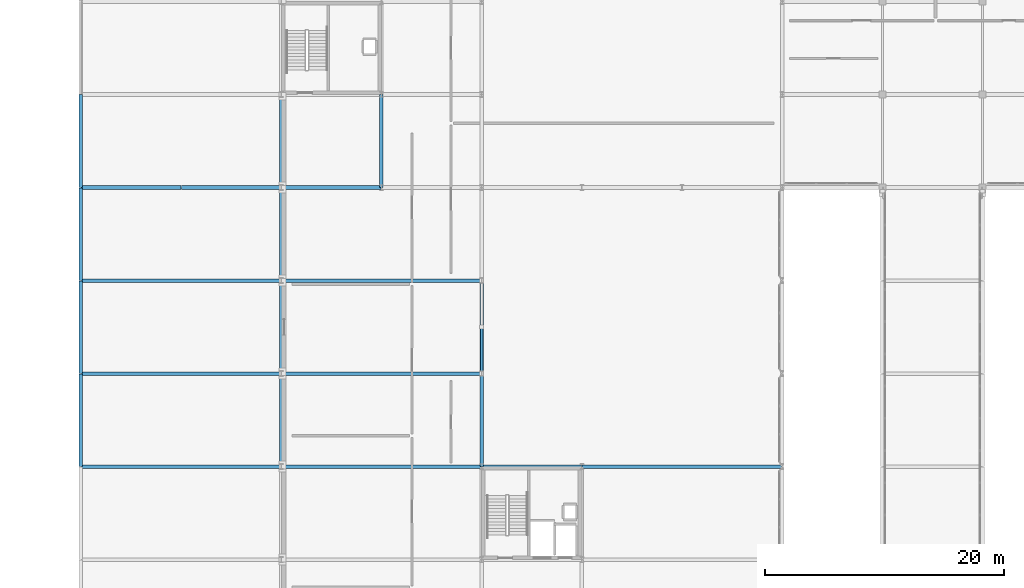
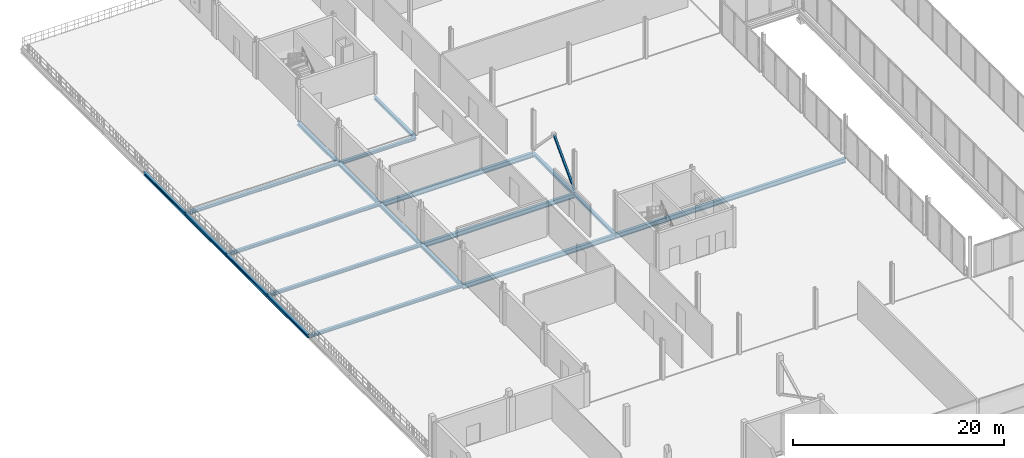
# One storey, part 33 of 98: 22 beams, 1 member.
"""IFC4 building model written with IfcOpenShell, lengths in metres."""

from ifc_helpers import new_model, si_unit, direction, frame, origin, origin_2d, place, context, subcontext, project, spatial, hollow_rectangle, i_section, extrude, material, material_profile, profile_set, type_object, element, save


model = new_model("IFC4")

# Units and contexts
model_context = context("Model", 3, precision=1e-05, world=origin(), true_north=direction((0.0, 1.0)))
body_context = subcontext(model_context, "Body", "Model", "MODEL_VIEW")
ifc_project = project(units=[si_unit("LENGTHUNIT", "METRE"), si_unit("AREAUNIT", "SQUARE_METRE"), si_unit("VOLUMEUNIT", "CUBIC_METRE"), si_unit("PLANEANGLEUNIT", "RADIAN"), si_unit("MASSUNIT", "GRAM", prefix="KILO")], contexts=[model_context])

# Site, building, storey
site_placement = place(None, origin())
site = spatial("IfcSite", under=ifc_project, at=site_placement, CompositionType="ELEMENT")
building_placement = place(site_placement, origin())
building = spatial("IfcBuilding", under=site, at=building_placement, Name="Nabrawat Pavilion Hospital", CompositionType="ELEMENT")
storey_placement = place(building_placement, frame((0.0, 0.0, 10.199951171875)))
storey = spatial("IfcBuildingStorey", under=building, at=storey_placement, Name="L02", CompositionType="ELEMENT", Elevation=10.199951171875)

# Member
ifc_material = material(Name="Steel S355", Category="steel")
ifc_material_profile_1 = material_profile(ifc_material, hollow_rectangle(XDim=0.199951171875, YDim=0.199951171875, WallThickness=0.012451171875, at=origin_2d()), Name="SHS 200x200x12.5")
ifc_profile_set_1 = profile_set([ifc_material_profile_1], Name="Steel S355")
member_type = type_object("IfcMemberType", Name="Mid Seismic Chevron Brace SHS 200x200x12.5", PredefinedType="BRACE", material=ifc_profile_set_1)
member_placement = place(storey_placement, frame((33.60009765625, 70.199951171875, 0.050048828125), z_axis=(0.0, 0.693650865689, 0.720311374705), x_axis=(-1.0, 0.0, 0.0)))
element("IfcMember", 1, at=member_placement, inside=storey, type_object=member_type, Name="L02 Seismic Concentric Chevron Brace 031", PredefinedType="BRACE", context=body_context, shape_type="SweptSolid", body=[
    extrude(hollow_rectangle(XDim=0.199951171875, YDim=0.199951171875, WallThickness=0.012451171875, at=origin_2d()), origin(), (0.0, 0.0, 1.0), 5.62255859375),
])

# Beams
ifc_material_profile_2 = material_profile(ifc_material, i_section(OverallWidth=0.300048828125, OverallDepth=0.389892578125, WebThickness=0.010986328125, FlangeThickness=0.01904296875, FilletRadius=0.027099609375, at=origin_2d()), Name="HEA 400")
ifc_profile_set_2 = profile_set([ifc_material_profile_2], Name="Steel S355")
beam_type_1 = type_object("IfcBeamType", Name="Perimeter Moment Spandrel Beam HEA 400", PredefinedType="SPANDREL", material=ifc_profile_set_2)
for number, where, z_axis, x_axis, name in (
    (2, (0.0, 62.419921875, -0.425048828125), (0.0, 1.0, 0.0), (-1.0, 0.0, 0.0), "L02 Primary Y Beam 1180"),
    (3, (0.0, 70.219970703125, -0.425048828125), (0.0, 1.0, 0.0), (-1.0, 0.0, 0.0), "L02 Primary Y Beam 1181"),
    (4, (0.0, 78.02001953125, -0.425048828125), (0.0, 1.0, 0.0), (-1.0, 0.0, 0.0), "L02 Primary Y Beam 1182"),
    (5, (0.0, 85.820068359375, -0.425048828125), (0.0, 1.0, 0.0), (-1.0, 0.0, 0.0), "L02 Primary Y Beam 1183"),
    (6, (16.800048828125, 62.419921875, -0.46484375), (0.0, 1.0, 0.0), (-1.0, 0.0, 0.0), "L02 Primary Y Beam 1195"),
    (7, (16.800048828125, 70.219970703125, -0.46484375), (0.0, 1.0, 0.0), (-1.0, 0.0, 0.0), "L02 Primary Y Beam 1196"),
    (8, (16.800048828125, 78.02001953125, -0.46484375), (0.0, 1.0, 0.0), (-1.0, 0.0, 0.0), "L02 Primary Y Beam 1197"),
    (9, (16.800048828125, 85.820068359375, -0.46484375), (0.0, 1.0, 0.0), (-1.0, 0.0, 0.0), "L02 Primary Y Beam 1198"),
):
    element("IfcBeam", number, at=place(storey_placement, frame(where, z_axis=z_axis, x_axis=x_axis)), inside=storey, type_object=beam_type_1, Name=name, PredefinedType="SPANDREL", context=body_context, shape_type="SweptSolid", body=[
        extrude(i_section(OverallWidth=0.300048828125, OverallDepth=0.389892578125, WebThickness=0.010986328125, FlangeThickness=0.01904296875, FilletRadius=0.027099609375, at=origin_2d()), origin(), (0.0, 0.0, 1.0), 7.760009765625),
    ])
ifc_material_profile_3 = material_profile(ifc_material, i_section(OverallWidth=0.300048828125, OverallDepth=0.5400390625, WebThickness=0.012451171875, FlangeThickness=0.02392578125, FilletRadius=0.027099609375, at=origin_2d()), Name="HEA 550")
ifc_profile_set_3 = profile_set([ifc_material_profile_3], Name="Steel S355")
beam_type_2 = type_object("IfcBeamType", Name="Primary Clinical Girder HEA 550", PredefinedType="USERDEFINED", material=ifc_profile_set_3)
beam_1_placement = place(storey_placement, frame((16.820068359375, 62.39990234375, -0.5400390625), z_axis=(1.0, 0.0, 0.0), x_axis=(0.0, 1.0, 0.0)))
element("IfcBeam", 10, at=beam_1_placement, inside=storey, type_object=beam_type_2, Name="L02 Primary X Girder 1041", ObjectType="GIRDER", PredefinedType="USERDEFINED", context=body_context, shape_type="SweptSolid", body=[
    extrude(i_section(OverallWidth=0.300048828125, OverallDepth=0.5400390625, WebThickness=0.012451171875, FlangeThickness=0.02392578125, FilletRadius=0.027099609375, at=origin_2d()), origin(), (0.0, 0.0, 1.0), 16.760009765625),
])
beam_2_placement = place(storey_placement, frame((33.6201171875, 62.39990234375, -0.5400390625), z_axis=(1.0, 0.0, 0.0), x_axis=(0.0, 1.0, 0.0)))
element("IfcBeam", 11, at=beam_2_placement, inside=storey, type_object=beam_type_2, Name="L02 Primary X Girder 1042", ObjectType="GIRDER", PredefinedType="USERDEFINED", context=body_context, shape_type="SweptSolid", body=[
    extrude(i_section(OverallWidth=0.300048828125, OverallDepth=0.5400390625, WebThickness=0.012451171875, FlangeThickness=0.02392578125, FilletRadius=0.027099609375, at=origin_2d()), origin(), (0.0, 0.0, 1.0), 8.35986328125),
])
for number, where, z_axis, x_axis, name in (
    (12, (42.02001953125, 62.39990234375, -0.5400390625), (1.0, 0.0, 0.0), (0.0, 1.0, 0.0), "L02 Primary X Girder 1043"),
    (13, (16.820068359375, 70.199951171875, -0.5400390625), (1.0, 0.0, 0.0), (0.0, 1.0, 0.0), "L02 Primary X Girder 1054"),
    (14, (16.820068359375, 78.0, -0.5400390625), (1.0, 0.0, 0.0), (0.0, 1.0, 0.0), "L02 Primary X Girder 1066"),
):
    element("IfcBeam", number, at=place(storey_placement, frame(where, z_axis=z_axis, x_axis=x_axis)), inside=storey, type_object=beam_type_2, Name=name, ObjectType="GIRDER", PredefinedType="USERDEFINED", context=body_context, shape_type="SweptSolid", body=[
        extrude(i_section(OverallWidth=0.300048828125, OverallDepth=0.5400390625, WebThickness=0.012451171875, FlangeThickness=0.02392578125, FilletRadius=0.027099609375, at=origin_2d()), origin(), (0.0, 0.0, 1.0), 16.760009765625),
    ])
ifc_material_profile_4 = material_profile(ifc_material, i_section(OverallWidth=0.300048828125, OverallDepth=0.360107421875, WebThickness=0.012451171875, FlangeThickness=0.0224609375, FilletRadius=0.027099609375, at=origin_2d()), Name="HEB 360")
ifc_profile_set_4 = profile_set([ifc_material_profile_4], Name="Steel S355")
beam_type_3 = type_object("IfcBeamType", Name="Surgical Perimeter Spandrel HEB 360", PredefinedType="SPANDREL", material=ifc_profile_set_4)
for number, where, z_axis, x_axis, name in (
    (15, (0.02001953125, 62.39990234375, -0.409912109375), (1.0, 0.0, 0.0), (0.0, 1.0, 0.0), "L02 Primary X Girder 1040"),
    (16, (0.02001953125, 70.199951171875, -0.409912109375), (1.0, 0.0, 0.0), (0.0, 1.0, 0.0), "L02 Primary X Girder 1053"),
    (17, (0.02001953125, 78.0, -0.409912109375), (1.0, 0.0, 0.0), (0.0, 1.0, 0.0), "L02 Primary X Girder 1065"),
):
    element("IfcBeam", number, at=place(storey_placement, frame(where, z_axis=z_axis, x_axis=x_axis)), inside=storey, type_object=beam_type_3, Name=name, PredefinedType="SPANDREL", context=body_context, shape_type="SweptSolid", body=[
        extrude(i_section(OverallWidth=0.300048828125, OverallDepth=0.360107421875, WebThickness=0.012451171875, FlangeThickness=0.0224609375, FilletRadius=0.027099609375, at=origin_2d()), origin(), (0.0, 0.0, 1.0), 16.760009765625),
    ])
beam_3_placement = place(storey_placement, frame((0.02001953125, 85.800048828125, -0.409912109375), z_axis=(1.0, 0.0, 0.0), x_axis=(0.0, 1.0, 0.0)))
element("IfcBeam", 18, at=beam_3_placement, inside=storey, type_object=beam_type_3, Name="L02 Primary X Girder 1077", PredefinedType="SPANDREL", context=body_context, shape_type="SweptSolid", body=[
    extrude(i_section(OverallWidth=0.300048828125, OverallDepth=0.360107421875, WebThickness=0.012451171875, FlangeThickness=0.0224609375, FilletRadius=0.027099609375, at=origin_2d()), origin(), (0.0, 0.0, 1.0), 8.35986328125),
])
beam_4_placement = place(storey_placement, frame((8.419921875, 85.800048828125, -0.409912109375), z_axis=(1.0, 0.0, 0.0), x_axis=(0.0, 1.0, 0.0)))
element("IfcBeam", 19, at=beam_4_placement, inside=storey, type_object=beam_type_3, Name="L02 Primary X Girder 1078", PredefinedType="SPANDREL", context=body_context, shape_type="SweptSolid", body=[
    extrude(i_section(OverallWidth=0.300048828125, OverallDepth=0.360107421875, WebThickness=0.012451171875, FlangeThickness=0.0224609375, FilletRadius=0.027099609375, at=origin_2d()), origin(), (0.0, 0.0, 1.0), 8.360107421875),
])
beam_5_placement = place(storey_placement, frame((16.820068359375, 85.800048828125, -0.449951171875), z_axis=(1.0, 0.0, 0.0), x_axis=(0.0, 1.0, 0.0)))
element("IfcBeam", 20, at=beam_5_placement, inside=storey, type_object=beam_type_3, Name="L02 Primary X Girder 1079", PredefinedType="SPANDREL", context=body_context, shape_type="SweptSolid", body=[
    extrude(i_section(OverallWidth=0.300048828125, OverallDepth=0.360107421875, WebThickness=0.012451171875, FlangeThickness=0.0224609375, FilletRadius=0.027099609375, at=origin_2d()), origin(), (0.0, 0.0, 1.0), 8.35986328125),
])
ifc_material_profile_5 = material_profile(ifc_material, i_section(OverallWidth=0.300048828125, OverallDepth=0.35009765625, WebThickness=0.009521484375, FlangeThickness=0.017578125, FilletRadius=0.027099609375, at=origin_2d()), Name="HEA 360")
ifc_profile_set_5 = profile_set([ifc_material_profile_5], Name="Steel S355")
beam_type_4 = type_object("IfcBeamType", Name="Surgical Stiffened Beam HEA 360", PredefinedType="BEAM", material=ifc_profile_set_5)
for number, where, z_axis, x_axis, name in (
    (21, (25.199951171875, 85.820068359375, -0.445068359375), (0.0, 1.0, 0.0), (-1.0, 0.0, 0.0), "L02 Primary Y Beam 1205"),
    (22, (33.60009765625, 62.419921875, -0.445068359375), (0.0, 1.0, 0.0), (-1.0, 0.0, 0.0), "L02 Primary Y Beam 1216"),
    (23, (33.60009765625, 70.219970703125, -0.445068359375), (0.0, 1.0, 0.0), (-1.0, 0.0, 0.0), "L02 Primary Y Beam 1217"),
):
    element("IfcBeam", number, at=place(storey_placement, frame(where, z_axis=z_axis, x_axis=x_axis)), inside=storey, type_object=beam_type_4, Name=name, PredefinedType="BEAM", context=body_context, shape_type="SweptSolid", body=[
        extrude(i_section(OverallWidth=0.300048828125, OverallDepth=0.35009765625, WebThickness=0.009521484375, FlangeThickness=0.017578125, FilletRadius=0.027099609375, at=origin_2d()), origin(), (0.0, 0.0, 1.0), 7.760009765625),
    ])

save(model, "model.ifc")
